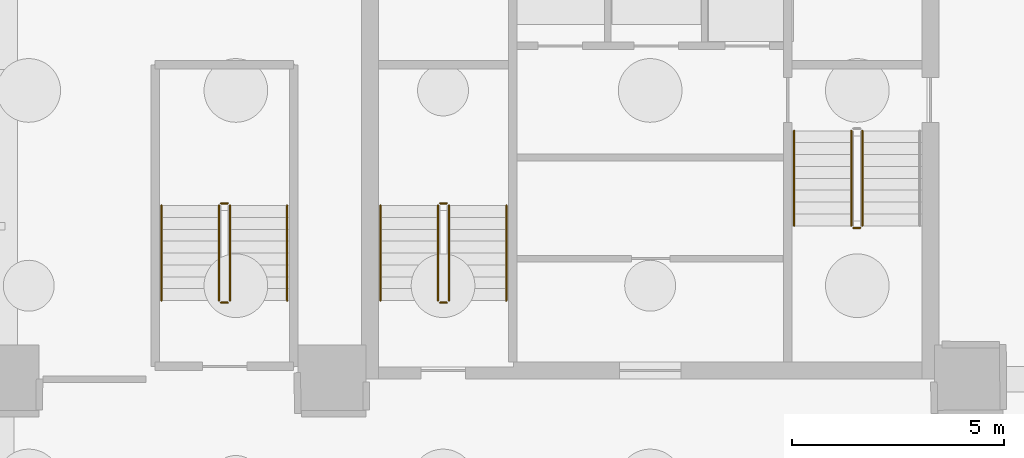
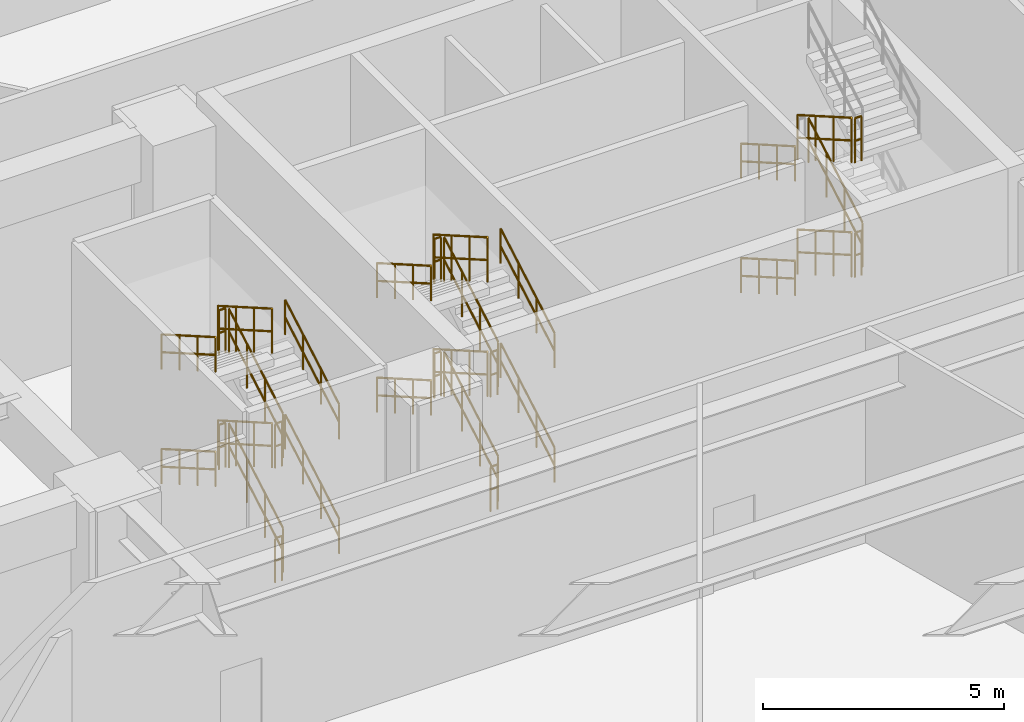
# One storey, part 11 of 15: 31 railings.
"""IFC4 building model written with IfcOpenShell, lengths in metres."""

from ifc_helpers import new_model, si_unit, direction, frame, origin, origin_2d, place, context, subcontext, project, spatial, circle, extrude, material, type_object, element, save


model = new_model("IFC4")

# Units and contexts
model_context = context("Model", 3, precision=1e-05, world=origin(), true_north=direction((0.0, 1.0)))
body_context = subcontext(model_context, "Body", "Model", "MODEL_VIEW")
ifc_project = project(units=[si_unit("LENGTHUNIT", "METRE"), si_unit("AREAUNIT", "SQUARE_METRE"), si_unit("VOLUMEUNIT", "CUBIC_METRE"), si_unit("PLANEANGLEUNIT", "RADIAN"), si_unit("MASSUNIT", "GRAM", prefix="KILO")], contexts=[model_context])

# Site, building, storey
site_placement = place(None, origin())
site = spatial("IfcSite", under=ifc_project, at=site_placement, CompositionType="ELEMENT")
building_placement = place(site_placement, origin())
building = spatial("IfcBuilding", under=site, at=building_placement, Name="Talar Marvaseh", CompositionType="ELEMENT")
storey_placement = place(building_placement, frame((0.0, 0.0, -11.60009765625)))
storey = spatial("IfcBuildingStorey", under=building, at=storey_placement, Name="B02", CompositionType="ELEMENT", Elevation=-11.60009765625)

# Railings
ifc_material = material(Name="Stainless Steel Grade 316", Category="steel")
railing_type_1 = type_object("IfcRailingType", Name="Brushed Stainless Wall Pitch Handrail 900", PredefinedType="HANDRAIL", material=ifc_material)
railing_1_placement = place(storey_placement, frame((22.610107421875, 27.64990234375, 0.1611328125)))
element("IfcRailing", 1, at=railing_1_placement, inside=storey, type_object=railing_type_1, Name="B02 ST-1 stair handrail 1", PredefinedType="HANDRAIL", context=body_context, shape_type="SweptSolid", body=[
    extrude(circle(Radius=0.02392578125, at=origin_2d()), frame((0.0, 0.0, 0.8759765625), z_axis=(0.0, 0.866727653441, 0.498781690482), x_axis=(-1.0, 0.0, 0.0)), (0.0, 0.0, 1.0), 2.58447265625),
    extrude(circle(Radius=0.02392578125, at=origin_2d()), frame((0.0, 0.0, 0.42578125), z_axis=(0.0, 0.866727653441, 0.498781690482), x_axis=(-1.0, 0.0, 0.0)), (0.0, 0.0, 1.0), 2.58447265625),
    extrude(circle(Radius=0.02099609375, at=origin_2d()), origin(), (0.0, 0.0, 1.0), 0.851806640625),
    extrude(circle(Radius=0.02099609375, at=origin_2d()), frame((0.0, 0.74658203125, 0.4296875)), (0.0, 0.0, 1.0), 0.851806640625),
    extrude(circle(Radius=0.02099609375, at=origin_2d()), frame((0.0, 1.493408203125, 0.859375)), (0.0, 0.0, 1.0), 0.851806640625),
    extrude(circle(Radius=0.02099609375, at=origin_2d()), frame((0.0, 2.239990234375, 1.2890625)), (0.0, 0.0, 1.0), 0.851806640625),
])
railing_2_placement = place(storey_placement, frame((19.64990234375, 29.889892578125, 1.611328125)))
element("IfcRailing", 2, at=railing_2_placement, inside=storey, type_object=railing_type_1, Name="B02 ST-1 stair handrail 2", PredefinedType="HANDRAIL", context=body_context, shape_type="SweptSolid", body=[
    extrude(circle(Radius=0.02392578125, at=origin_2d()), frame((0.0, 0.0, 0.8759765625), z_axis=(0.0, -0.866768490956, 0.498710720845), x_axis=(1.0, 0.0, 0.0)), (0.0, 0.0, 1.0), 2.584228515625),
    extrude(circle(Radius=0.02392578125, at=origin_2d()), frame((0.0, 0.0, 0.42578125), z_axis=(0.0, -0.866768490956, 0.498710720845), x_axis=(1.0, 0.0, 0.0)), (0.0, 0.0, 1.0), 2.584228515625),
    extrude(circle(Radius=0.02099609375, at=origin_2d()), origin(), (0.0, 0.0, 1.0), 0.851806640625),
    extrude(circle(Radius=0.02099609375, at=origin_2d()), frame((0.0, -0.74658203125, 0.4296875)), (0.0, 0.0, 1.0), 0.851806640625),
    extrude(circle(Radius=0.02099609375, at=origin_2d()), frame((0.0, -1.493408203125, 0.859130859375)), (0.0, 0.0, 1.0), 0.851806640625),
    extrude(circle(Radius=0.02099609375, at=origin_2d()), frame((0.0, -2.239990234375, 1.288818359375)), (0.0, 0.0, 1.0), 0.851806640625),
])
railing_3_placement = place(storey_placement, frame((22.610107421875, 27.64990234375, 3.061279296875)))
element("IfcRailing", 3, at=railing_3_placement, inside=storey, type_object=railing_type_1, Name="B02 ST-1 stair handrail 3", PredefinedType="HANDRAIL", context=body_context, shape_type="SweptSolid", body=[
    extrude(circle(Radius=0.02392578125, at=origin_2d()), frame((0.0, 0.0, 0.8759765625), z_axis=(0.0, 0.866768490956, 0.498710720845), x_axis=(-1.0, 0.0, 0.0)), (0.0, 0.0, 1.0), 2.584228515625),
    extrude(circle(Radius=0.02392578125, at=origin_2d()), frame((0.0, 0.0, 0.42578125), z_axis=(0.0, 0.866768490956, 0.498710720845), x_axis=(-1.0, 0.0, 0.0)), (0.0, 0.0, 1.0), 2.584228515625),
    extrude(circle(Radius=0.02099609375, at=origin_2d()), origin(), (0.0, 0.0, 1.0), 0.851806640625),
    extrude(circle(Radius=0.02099609375, at=origin_2d()), frame((0.0, 0.74658203125, 0.4296875)), (0.0, 0.0, 1.0), 0.851806640625),
    extrude(circle(Radius=0.02099609375, at=origin_2d()), frame((0.0, 1.493408203125, 0.859130859375)), (0.0, 0.0, 1.0), 0.851806640625),
    extrude(circle(Radius=0.02099609375, at=origin_2d()), frame((0.0, 2.239990234375, 1.288818359375)), (0.0, 0.0, 1.0), 0.851806640625),
])
railing_4_placement = place(storey_placement, frame((19.64990234375, 29.889892578125, 4.51123046875)))
element("IfcRailing", 4, at=railing_4_placement, inside=storey, type_object=railing_type_1, Name="B02 ST-1 stair handrail 4", PredefinedType="HANDRAIL", context=body_context, shape_type="SweptSolid", body=[
    extrude(circle(Radius=0.02392578125, at=origin_2d()), frame((0.0, 0.0, 0.8759765625), z_axis=(0.0, -0.866768490956, 0.498710720845), x_axis=(1.0, 0.0, 0.0)), (0.0, 0.0, 1.0), 2.584228515625),
    extrude(circle(Radius=0.02392578125, at=origin_2d()), frame((0.0, 0.0, 0.42578125), z_axis=(0.0, -0.866768490956, 0.498710720845), x_axis=(1.0, 0.0, 0.0)), (0.0, 0.0, 1.0), 2.584228515625),
    extrude(circle(Radius=0.02099609375, at=origin_2d()), origin(), (0.0, 0.0, 1.0), 0.851806640625),
    extrude(circle(Radius=0.02099609375, at=origin_2d()), frame((0.0, -0.74658203125, 0.4296875)), (0.0, 0.0, 1.0), 0.851806640625),
    extrude(circle(Radius=0.02099609375, at=origin_2d()), frame((0.0, -1.493408203125, 0.859130859375)), (0.0, 0.0, 1.0), 0.851806640625),
    extrude(circle(Radius=0.02099609375, at=origin_2d()), frame((0.0, -2.239990234375, 1.288818359375)), (0.0, 0.0, 1.0), 0.851806640625),
])
railing_5_placement = place(storey_placement, frame((29.389892578125, 31.64990234375, 0.1611328125)))
element("IfcRailing", 5, at=railing_5_placement, inside=storey, type_object=railing_type_1, Name="B02 ST-2 stair handrail 1", PredefinedType="HANDRAIL", context=body_context, shape_type="SweptSolid", body=[
    extrude(circle(Radius=0.02392578125, at=origin_2d()), frame((0.0, 0.0, 0.8759765625), z_axis=(0.0, -0.866727653441, 0.498781690482), x_axis=(1.0, 0.0, 0.0)), (0.0, 0.0, 1.0), 2.58447265625),
    extrude(circle(Radius=0.02392578125, at=origin_2d()), frame((0.0, 0.0, 0.42578125), z_axis=(0.0, -0.866727653441, 0.498781690482), x_axis=(1.0, 0.0, 0.0)), (0.0, 0.0, 1.0), 2.58447265625),
    extrude(circle(Radius=0.02099609375, at=origin_2d()), origin(), (0.0, 0.0, 1.0), 0.851806640625),
    extrude(circle(Radius=0.02099609375, at=origin_2d()), frame((0.0, -0.74658203125, 0.4296875)), (0.0, 0.0, 1.0), 0.851806640625),
    extrude(circle(Radius=0.02099609375, at=origin_2d()), frame((0.0, -1.493408203125, 0.859375)), (0.0, 0.0, 1.0), 0.851806640625),
    extrude(circle(Radius=0.02099609375, at=origin_2d()), frame((0.0, -2.239990234375, 1.2890625)), (0.0, 0.0, 1.0), 0.851806640625),
])
railing_6_placement = place(storey_placement, frame((29.389892578125, 31.64990234375, 3.061279296875)))
element("IfcRailing", 6, at=railing_6_placement, inside=storey, type_object=railing_type_1, Name="B02 ST-2 stair handrail 3", PredefinedType="HANDRAIL", context=body_context, shape_type="SweptSolid", body=[
    extrude(circle(Radius=0.02392578125, at=origin_2d()), frame((0.0, 0.0, 0.8759765625), z_axis=(0.0, -0.866768490956, 0.498710720845), x_axis=(1.0, 0.0, 0.0)), (0.0, 0.0, 1.0), 2.584228515625),
    extrude(circle(Radius=0.02392578125, at=origin_2d()), frame((0.0, 0.0, 0.42578125), z_axis=(0.0, -0.866768490956, 0.498710720845), x_axis=(1.0, 0.0, 0.0)), (0.0, 0.0, 1.0), 2.584228515625),
    extrude(circle(Radius=0.02099609375, at=origin_2d()), origin(), (0.0, 0.0, 1.0), 0.851806640625),
    extrude(circle(Radius=0.02099609375, at=origin_2d()), frame((0.0, -0.74658203125, 0.4296875)), (0.0, 0.0, 1.0), 0.851806640625),
    extrude(circle(Radius=0.02099609375, at=origin_2d()), frame((0.0, -1.493408203125, 0.859130859375)), (0.0, 0.0, 1.0), 0.851806640625),
    extrude(circle(Radius=0.02099609375, at=origin_2d()), frame((0.0, -2.239990234375, 1.288818359375)), (0.0, 0.0, 1.0), 0.851806640625),
])
railing_7_placement = place(storey_placement, frame((17.449951171875, 27.64990234375, 0.1611328125)))
element("IfcRailing", 7, at=railing_7_placement, inside=storey, type_object=railing_type_1, Name="B02 ST-3 stair handrail 1", PredefinedType="HANDRAIL", context=body_context, shape_type="SweptSolid", body=[
    extrude(circle(Radius=0.02392578125, at=origin_2d()), frame((0.0, 0.0, 0.8759765625), z_axis=(0.0, 0.866727653441, 0.498781690482), x_axis=(-1.0, 0.0, 0.0)), (0.0, 0.0, 1.0), 2.58447265625),
    extrude(circle(Radius=0.02392578125, at=origin_2d()), frame((0.0, 0.0, 0.42578125), z_axis=(0.0, 0.866727653441, 0.498781690482), x_axis=(-1.0, 0.0, 0.0)), (0.0, 0.0, 1.0), 2.58447265625),
    extrude(circle(Radius=0.02099609375, at=origin_2d()), origin(), (0.0, 0.0, 1.0), 0.851806640625),
    extrude(circle(Radius=0.02099609375, at=origin_2d()), frame((0.0, 0.74658203125, 0.4296875)), (0.0, 0.0, 1.0), 0.851806640625),
    extrude(circle(Radius=0.02099609375, at=origin_2d()), frame((0.0, 1.493408203125, 0.859375)), (0.0, 0.0, 1.0), 0.851806640625),
    extrude(circle(Radius=0.02099609375, at=origin_2d()), frame((0.0, 2.239990234375, 1.2890625)), (0.0, 0.0, 1.0), 0.851806640625),
])
railing_8_placement = place(storey_placement, frame((14.489990234375, 29.889892578125, 1.611328125)))
element("IfcRailing", 8, at=railing_8_placement, inside=storey, type_object=railing_type_1, Name="B02 ST-3 stair handrail 2", PredefinedType="HANDRAIL", context=body_context, shape_type="SweptSolid", body=[
    extrude(circle(Radius=0.02392578125, at=origin_2d()), frame((0.0, 0.0, 0.8759765625), z_axis=(0.0, -0.866768490956, 0.498710720845), x_axis=(1.0, 0.0, 0.0)), (0.0, 0.0, 1.0), 2.584228515625),
    extrude(circle(Radius=0.02392578125, at=origin_2d()), frame((0.0, 0.0, 0.42578125), z_axis=(0.0, -0.866768490956, 0.498710720845), x_axis=(1.0, 0.0, 0.0)), (0.0, 0.0, 1.0), 2.584228515625),
    extrude(circle(Radius=0.02099609375, at=origin_2d()), origin(), (0.0, 0.0, 1.0), 0.851806640625),
    extrude(circle(Radius=0.02099609375, at=origin_2d()), frame((0.0, -0.74658203125, 0.4296875)), (0.0, 0.0, 1.0), 0.851806640625),
    extrude(circle(Radius=0.02099609375, at=origin_2d()), frame((0.0, -1.493408203125, 0.859130859375)), (0.0, 0.0, 1.0), 0.851806640625),
    extrude(circle(Radius=0.02099609375, at=origin_2d()), frame((0.0, -2.239990234375, 1.288818359375)), (0.0, 0.0, 1.0), 0.851806640625),
])
railing_9_placement = place(storey_placement, frame((17.449951171875, 27.64990234375, 3.061279296875)))
element("IfcRailing", 9, at=railing_9_placement, inside=storey, type_object=railing_type_1, Name="B02 ST-3 stair handrail 3", PredefinedType="HANDRAIL", context=body_context, shape_type="SweptSolid", body=[
    extrude(circle(Radius=0.02392578125, at=origin_2d()), frame((0.0, 0.0, 0.8759765625), z_axis=(0.0, 0.866768490956, 0.498710720845), x_axis=(-1.0, 0.0, 0.0)), (0.0, 0.0, 1.0), 2.584228515625),
    extrude(circle(Radius=0.02392578125, at=origin_2d()), frame((0.0, 0.0, 0.42578125), z_axis=(0.0, 0.866768490956, 0.498710720845), x_axis=(-1.0, 0.0, 0.0)), (0.0, 0.0, 1.0), 2.584228515625),
    extrude(circle(Radius=0.02099609375, at=origin_2d()), origin(), (0.0, 0.0, 1.0), 0.851806640625),
    extrude(circle(Radius=0.02099609375, at=origin_2d()), frame((0.0, 0.74658203125, 0.4296875)), (0.0, 0.0, 1.0), 0.851806640625),
    extrude(circle(Radius=0.02099609375, at=origin_2d()), frame((0.0, 1.493408203125, 0.859130859375)), (0.0, 0.0, 1.0), 0.851806640625),
    extrude(circle(Radius=0.02099609375, at=origin_2d()), frame((0.0, 2.239990234375, 1.288818359375)), (0.0, 0.0, 1.0), 0.851806640625),
])
railing_10_placement = place(storey_placement, frame((14.489990234375, 29.889892578125, 4.51123046875)))
element("IfcRailing", 10, at=railing_10_placement, inside=storey, type_object=railing_type_1, Name="B02 ST-3 stair handrail 4", PredefinedType="HANDRAIL", context=body_context, shape_type="SweptSolid", body=[
    extrude(circle(Radius=0.02392578125, at=origin_2d()), frame((0.0, 0.0, 0.8759765625), z_axis=(0.0, -0.866768490956, 0.498710720845), x_axis=(1.0, 0.0, 0.0)), (0.0, 0.0, 1.0), 2.584228515625),
    extrude(circle(Radius=0.02392578125, at=origin_2d()), frame((0.0, 0.0, 0.42578125), z_axis=(0.0, -0.866768490956, 0.498710720845), x_axis=(1.0, 0.0, 0.0)), (0.0, 0.0, 1.0), 2.584228515625),
    extrude(circle(Radius=0.02099609375, at=origin_2d()), origin(), (0.0, 0.0, 1.0), 0.851806640625),
    extrude(circle(Radius=0.02099609375, at=origin_2d()), frame((0.0, -0.74658203125, 0.4296875)), (0.0, 0.0, 1.0), 0.851806640625),
    extrude(circle(Radius=0.02099609375, at=origin_2d()), frame((0.0, -1.493408203125, 0.859130859375)), (0.0, 0.0, 1.0), 0.851806640625),
    extrude(circle(Radius=0.02099609375, at=origin_2d()), frame((0.0, -2.239990234375, 1.288818359375)), (0.0, 0.0, 1.0), 0.851806640625),
])
railing_type_2 = type_object("IfcRailingType", Name="Painted Steel Core Stair Well Guardrail 1150", PredefinedType="GUARDRAIL", material=ifc_material)
railing_11_placement = place(storey_placement, frame((21.260009765625, 27.64990234375, 0.1611328125)))
element("IfcRailing", 11, at=railing_11_placement, inside=storey, type_object=railing_type_2, Name="B02 ST-1 stair guard 1", PredefinedType="GUARDRAIL", context=body_context, shape_type="SweptSolid", body=[
    extrude(circle(Radius=0.02392578125, at=origin_2d()), frame((0.0, 0.0, 1.1259765625), z_axis=(0.0, 0.866727653441, 0.498781690482), x_axis=(-1.0, 0.0, 0.0)), (0.0, 0.0, 1.0), 2.58447265625),
    extrude(circle(Radius=0.02392578125, at=origin_2d()), frame((0.0, 0.0, 0.55078125), z_axis=(0.0, 0.866727653441, 0.498781690482), x_axis=(-1.0, 0.0, 0.0)), (0.0, 0.0, 1.0), 2.58447265625),
    extrude(circle(Radius=0.02099609375, at=origin_2d()), origin(), (0.0, 0.0, 1.0), 1.101806640625),
    extrude(circle(Radius=0.02099609375, at=origin_2d()), frame((0.0, 0.74658203125, 0.4296875)), (0.0, 0.0, 1.0), 1.101806640625),
    extrude(circle(Radius=0.02099609375, at=origin_2d()), frame((0.0, 1.493408203125, 0.859375)), (0.0, 0.0, 1.0), 1.101806640625),
    extrude(circle(Radius=0.02099609375, at=origin_2d()), frame((0.0, 2.239990234375, 1.2890625)), (0.0, 0.0, 1.0), 1.101806640625),
])
railing_12_placement = place(storey_placement, frame((21.2099609375, 29.93994140625, 1.4501953125)))
element("IfcRailing", 12, at=railing_12_placement, inside=storey, type_object=railing_type_2, Name="B02 ST-1 stair guard 2", PredefinedType="GUARDRAIL", context=body_context, shape_type="SweptSolid", body=[
    extrude(circle(Radius=0.02392578125, at=origin_2d()), frame((0.0, 0.0, 1.1259765625), z_axis=(-1.0, 0.0, 0.0), x_axis=(0.0, -1.0, 0.0)), (0.0, 0.0, 1.0), 0.159912109375),
    extrude(circle(Radius=0.02392578125, at=origin_2d()), frame((0.0, 0.0, 0.55078125), z_axis=(-1.0, 0.0, 0.0), x_axis=(0.0, -1.0, 0.0)), (0.0, 0.0, 1.0), 0.159912109375),
    extrude(circle(Radius=0.02099609375, at=origin_2d()), origin(), (0.0, 0.0, 1.0), 1.101806640625),
    extrude(circle(Radius=0.02099609375, at=origin_2d()), frame((-0.159912109375, 0.0, 0.0)), (0.0, 0.0, 1.0), 1.101806640625),
])
railing_13_placement = place(storey_placement, frame((21.0, 29.889892578125, 1.611328125)))
element("IfcRailing", 13, at=railing_13_placement, inside=storey, type_object=railing_type_2, Name="B02 ST-1 stair guard 3", PredefinedType="GUARDRAIL", context=body_context, shape_type="SweptSolid", body=[
    extrude(circle(Radius=0.02392578125, at=origin_2d()), frame((0.0, 0.0, 1.1259765625), z_axis=(0.0, -0.866768490956, 0.498710720845), x_axis=(1.0, 0.0, 0.0)), (0.0, 0.0, 1.0), 2.584228515625),
    extrude(circle(Radius=0.02392578125, at=origin_2d()), frame((0.0, 0.0, 0.55078125), z_axis=(0.0, -0.866768490956, 0.498710720845), x_axis=(1.0, 0.0, 0.0)), (0.0, 0.0, 1.0), 2.584228515625),
    extrude(circle(Radius=0.02099609375, at=origin_2d()), origin(), (0.0, 0.0, 1.0), 1.101806640625),
    extrude(circle(Radius=0.02099609375, at=origin_2d()), frame((0.0, -0.74658203125, 0.4296875)), (0.0, 0.0, 1.0), 1.101806640625),
    extrude(circle(Radius=0.02099609375, at=origin_2d()), frame((0.0, -1.493408203125, 0.859130859375)), (0.0, 0.0, 1.0), 1.101806640625),
    extrude(circle(Radius=0.02099609375, at=origin_2d()), frame((0.0, -2.239990234375, 1.288818359375)), (0.0, 0.0, 1.0), 1.101806640625),
])
railing_14_placement = place(storey_placement, frame((21.2099609375, 27.60009765625, 2.900146484375)))
element("IfcRailing", 14, at=railing_14_placement, inside=storey, type_object=railing_type_2, Name="B02 ST-1 stair guard 4", PredefinedType="GUARDRAIL", context=body_context, shape_type="SweptSolid", body=[
    extrude(circle(Radius=0.02392578125, at=origin_2d()), frame((0.0, 0.0, 1.1259765625), z_axis=(-1.0, 0.0, 0.0), x_axis=(0.0, -1.0, 0.0)), (0.0, 0.0, 1.0), 0.159912109375),
    extrude(circle(Radius=0.02392578125, at=origin_2d()), frame((0.0, 0.0, 0.55078125), z_axis=(-1.0, 0.0, 0.0), x_axis=(0.0, -1.0, 0.0)), (0.0, 0.0, 1.0), 0.159912109375),
    extrude(circle(Radius=0.02099609375, at=origin_2d()), origin(), (0.0, 0.0, 1.0), 1.101806640625),
    extrude(circle(Radius=0.02099609375, at=origin_2d()), frame((-0.159912109375, 0.0, 0.0)), (0.0, 0.0, 1.0), 1.101806640625),
])
railing_15_placement = place(storey_placement, frame((21.260009765625, 27.64990234375, 3.061279296875)))
element("IfcRailing", 15, at=railing_15_placement, inside=storey, type_object=railing_type_2, Name="B02 ST-1 stair guard 5", PredefinedType="GUARDRAIL", context=body_context, shape_type="SweptSolid", body=[
    extrude(circle(Radius=0.02392578125, at=origin_2d()), frame((0.0, 0.0, 1.1259765625), z_axis=(0.0, 0.866768490956, 0.498710720845), x_axis=(-1.0, 0.0, 0.0)), (0.0, 0.0, 1.0), 2.584228515625),
    extrude(circle(Radius=0.02392578125, at=origin_2d()), frame((0.0, 0.0, 0.55078125), z_axis=(0.0, 0.866768490956, 0.498710720845), x_axis=(-1.0, 0.0, 0.0)), (0.0, 0.0, 1.0), 2.584228515625),
    extrude(circle(Radius=0.02099609375, at=origin_2d()), origin(), (0.0, 0.0, 1.0), 1.101806640625),
    extrude(circle(Radius=0.02099609375, at=origin_2d()), frame((0.0, 0.74658203125, 0.4296875)), (0.0, 0.0, 1.0), 1.101806640625),
    extrude(circle(Radius=0.02099609375, at=origin_2d()), frame((0.0, 1.493408203125, 0.859130859375)), (0.0, 0.0, 1.0), 1.101806640625),
    extrude(circle(Radius=0.02099609375, at=origin_2d()), frame((0.0, 2.239990234375, 1.288818359375)), (0.0, 0.0, 1.0), 1.101806640625),
])
railing_16_placement = place(storey_placement, frame((21.2099609375, 29.93994140625, 4.35009765625)))
element("IfcRailing", 16, at=railing_16_placement, inside=storey, type_object=railing_type_2, Name="B02 ST-1 stair guard 6", PredefinedType="GUARDRAIL", context=body_context, shape_type="SweptSolid", body=[
    extrude(circle(Radius=0.02392578125, at=origin_2d()), frame((0.0, 0.0, 1.1259765625), z_axis=(-1.0, 0.0, 0.0), x_axis=(0.0, -1.0, 0.0)), (0.0, 0.0, 1.0), 0.159912109375),
    extrude(circle(Radius=0.02392578125, at=origin_2d()), frame((0.0, 0.0, 0.55078125), z_axis=(-1.0, 0.0, 0.0), x_axis=(0.0, -1.0, 0.0)), (0.0, 0.0, 1.0), 0.159912109375),
    extrude(circle(Radius=0.02099609375, at=origin_2d()), origin(), (0.0, 0.0, 1.0), 1.101806640625),
    extrude(circle(Radius=0.02099609375, at=origin_2d()), frame((-0.159912109375, 0.0, 0.0)), (0.0, 0.0, 1.0), 1.101806640625),
])
railing_17_placement = place(storey_placement, frame((21.0, 29.889892578125, 4.51123046875)))
element("IfcRailing", 17, at=railing_17_placement, inside=storey, type_object=railing_type_2, Name="B02 ST-1 stair guard 7", PredefinedType="GUARDRAIL", context=body_context, shape_type="SweptSolid", body=[
    extrude(circle(Radius=0.02392578125, at=origin_2d()), frame((0.0, 0.0, 1.1259765625), z_axis=(0.0, -0.866768490956, 0.498710720845), x_axis=(1.0, 0.0, 0.0)), (0.0, 0.0, 1.0), 2.584228515625),
    extrude(circle(Radius=0.02392578125, at=origin_2d()), frame((0.0, 0.0, 0.55078125), z_axis=(0.0, -0.866768490956, 0.498710720845), x_axis=(1.0, 0.0, 0.0)), (0.0, 0.0, 1.0), 2.584228515625),
    extrude(circle(Radius=0.02099609375, at=origin_2d()), origin(), (0.0, 0.0, 1.0), 1.101806640625),
    extrude(circle(Radius=0.02099609375, at=origin_2d()), frame((0.0, -0.74658203125, 0.4296875)), (0.0, 0.0, 1.0), 1.101806640625),
    extrude(circle(Radius=0.02099609375, at=origin_2d()), frame((0.0, -1.493408203125, 0.859130859375)), (0.0, 0.0, 1.0), 1.101806640625),
    extrude(circle(Radius=0.02099609375, at=origin_2d()), frame((0.0, -2.239990234375, 1.288818359375)), (0.0, 0.0, 1.0), 1.101806640625),
])
railing_18_placement = place(storey_placement, frame((21.2099609375, 27.60009765625, 0.0)))
element("IfcRailing", 18, at=railing_18_placement, inside=storey, type_object=railing_type_2, Name="B02 ST-1 stair guard 8", PredefinedType="GUARDRAIL", context=body_context, shape_type="SweptSolid", body=[
    extrude(circle(Radius=0.02392578125, at=origin_2d()), frame((0.0, 0.0, 1.1259765625), z_axis=(-1.0, 0.0, 0.0), x_axis=(0.0, -1.0, 0.0)), (0.0, 0.0, 1.0), 0.159912109375),
    extrude(circle(Radius=0.02392578125, at=origin_2d()), frame((0.0, 0.0, 0.55078125), z_axis=(-1.0, 0.0, 0.0), x_axis=(0.0, -1.0, 0.0)), (0.0, 0.0, 1.0), 0.159912109375),
    extrude(circle(Radius=0.02099609375, at=origin_2d()), origin(), (0.0, 0.0, 1.0), 1.101806640625),
    extrude(circle(Radius=0.02099609375, at=origin_2d()), frame((-0.159912109375, 0.0, 0.0)), (0.0, 0.0, 1.0), 1.101806640625),
])
railing_19_placement = place(storey_placement, frame((30.739990234375, 31.64990234375, 0.1611328125)))
element("IfcRailing", 19, at=railing_19_placement, inside=storey, type_object=railing_type_2, Name="B02 ST-2 stair guard 1", PredefinedType="GUARDRAIL", context=body_context, shape_type="SweptSolid", body=[
    extrude(circle(Radius=0.02392578125, at=origin_2d()), frame((0.0, 0.0, 1.1259765625), z_axis=(0.0, -0.866727653441, 0.498781690482), x_axis=(1.0, 0.0, 0.0)), (0.0, 0.0, 1.0), 2.58447265625),
    extrude(circle(Radius=0.02392578125, at=origin_2d()), frame((0.0, 0.0, 0.55078125), z_axis=(0.0, -0.866727653441, 0.498781690482), x_axis=(1.0, 0.0, 0.0)), (0.0, 0.0, 1.0), 2.58447265625),
    extrude(circle(Radius=0.02099609375, at=origin_2d()), origin(), (0.0, 0.0, 1.0), 1.101806640625),
    extrude(circle(Radius=0.02099609375, at=origin_2d()), frame((0.0, -0.74658203125, 0.4296875)), (0.0, 0.0, 1.0), 1.101806640625),
    extrude(circle(Radius=0.02099609375, at=origin_2d()), frame((0.0, -1.493408203125, 0.859375)), (0.0, 0.0, 1.0), 1.101806640625),
    extrude(circle(Radius=0.02099609375, at=origin_2d()), frame((0.0, -2.239990234375, 1.2890625)), (0.0, 0.0, 1.0), 1.101806640625),
])
railing_20_placement = place(storey_placement, frame((30.7900390625, 29.360107421875, 1.4501953125)))
element("IfcRailing", 20, at=railing_20_placement, inside=storey, type_object=railing_type_2, Name="B02 ST-2 stair guard 2", PredefinedType="GUARDRAIL", context=body_context, shape_type="SweptSolid", body=[
    extrude(circle(Radius=0.02392578125, at=origin_2d()), frame((0.0, 0.0, 1.1259765625), z_axis=(1.0, 0.0, 0.0), x_axis=(0.0, 1.0, 0.0)), (0.0, 0.0, 1.0), 0.159912109375),
    extrude(circle(Radius=0.02392578125, at=origin_2d()), frame((0.0, 0.0, 0.55078125), z_axis=(1.0, 0.0, 0.0), x_axis=(0.0, 1.0, 0.0)), (0.0, 0.0, 1.0), 0.159912109375),
    extrude(circle(Radius=0.02099609375, at=origin_2d()), origin(), (0.0, 0.0, 1.0), 1.101806640625),
    extrude(circle(Radius=0.02099609375, at=origin_2d()), frame((0.159912109375, 0.0, 0.0)), (0.0, 0.0, 1.0), 1.101806640625),
])
railing_21_placement = place(storey_placement, frame((31.0, 29.409912109375, 1.611328125)))
element("IfcRailing", 21, at=railing_21_placement, inside=storey, type_object=railing_type_2, Name="B02 ST-2 stair guard 3", PredefinedType="GUARDRAIL", context=body_context, shape_type="SweptSolid", body=[
    extrude(circle(Radius=0.02392578125, at=origin_2d()), frame((0.0, 0.0, 1.1259765625), z_axis=(0.0, 0.866768490956, 0.498710720845), x_axis=(-1.0, 0.0, 0.0)), (0.0, 0.0, 1.0), 2.584228515625),
    extrude(circle(Radius=0.02392578125, at=origin_2d()), frame((0.0, 0.0, 0.55078125), z_axis=(0.0, 0.866768490956, 0.498710720845), x_axis=(-1.0, 0.0, 0.0)), (0.0, 0.0, 1.0), 2.584228515625),
    extrude(circle(Radius=0.02099609375, at=origin_2d()), origin(), (0.0, 0.0, 1.0), 1.101806640625),
    extrude(circle(Radius=0.02099609375, at=origin_2d()), frame((0.0, 0.74658203125, 0.4296875)), (0.0, 0.0, 1.0), 1.101806640625),
    extrude(circle(Radius=0.02099609375, at=origin_2d()), frame((0.0, 1.493408203125, 0.859130859375)), (0.0, 0.0, 1.0), 1.101806640625),
    extrude(circle(Radius=0.02099609375, at=origin_2d()), frame((0.0, 2.239990234375, 1.288818359375)), (0.0, 0.0, 1.0), 1.101806640625),
])
railing_22_placement = place(storey_placement, frame((30.739990234375, 31.64990234375, 3.061279296875)))
element("IfcRailing", 22, at=railing_22_placement, inside=storey, type_object=railing_type_2, Name="B02 ST-2 stair guard 5", PredefinedType="GUARDRAIL", context=body_context, shape_type="SweptSolid", body=[
    extrude(circle(Radius=0.02392578125, at=origin_2d()), frame((0.0, 0.0, 1.1259765625), z_axis=(0.0, -0.866768490956, 0.498710720845), x_axis=(1.0, 0.0, 0.0)), (0.0, 0.0, 1.0), 2.584228515625),
    extrude(circle(Radius=0.02392578125, at=origin_2d()), frame((0.0, 0.0, 0.55078125), z_axis=(0.0, -0.866768490956, 0.498710720845), x_axis=(1.0, 0.0, 0.0)), (0.0, 0.0, 1.0), 2.584228515625),
    extrude(circle(Radius=0.02099609375, at=origin_2d()), origin(), (0.0, 0.0, 1.0), 1.101806640625),
    extrude(circle(Radius=0.02099609375, at=origin_2d()), frame((0.0, -0.74658203125, 0.4296875)), (0.0, 0.0, 1.0), 1.101806640625),
    extrude(circle(Radius=0.02099609375, at=origin_2d()), frame((0.0, -1.493408203125, 0.859130859375)), (0.0, 0.0, 1.0), 1.101806640625),
    extrude(circle(Radius=0.02099609375, at=origin_2d()), frame((0.0, -2.239990234375, 1.288818359375)), (0.0, 0.0, 1.0), 1.101806640625),
])
railing_23_placement = place(storey_placement, frame((30.7900390625, 29.360107421875, 4.35009765625)))
element("IfcRailing", 23, at=railing_23_placement, inside=storey, type_object=railing_type_2, Name="B02 ST-2 stair guard 6", PredefinedType="GUARDRAIL", context=body_context, shape_type="SweptSolid", body=[
    extrude(circle(Radius=0.02392578125, at=origin_2d()), frame((0.0, 0.0, 1.1259765625), z_axis=(1.0, 0.0, 0.0), x_axis=(0.0, 1.0, 0.0)), (0.0, 0.0, 1.0), 0.159912109375),
    extrude(circle(Radius=0.02392578125, at=origin_2d()), frame((0.0, 0.0, 0.55078125), z_axis=(1.0, 0.0, 0.0), x_axis=(0.0, 1.0, 0.0)), (0.0, 0.0, 1.0), 0.159912109375),
    extrude(circle(Radius=0.02099609375, at=origin_2d()), origin(), (0.0, 0.0, 1.0), 1.101806640625),
    extrude(circle(Radius=0.02099609375, at=origin_2d()), frame((0.159912109375, 0.0, 0.0)), (0.0, 0.0, 1.0), 1.101806640625),
])
railing_24_placement = place(storey_placement, frame((16.10009765625, 27.64990234375, 0.1611328125)))
element("IfcRailing", 24, at=railing_24_placement, inside=storey, type_object=railing_type_2, Name="B02 ST-3 stair guard 1", PredefinedType="GUARDRAIL", context=body_context, shape_type="SweptSolid", body=[
    extrude(circle(Radius=0.02392578125, at=origin_2d()), frame((0.0, 0.0, 1.1259765625), z_axis=(0.0, 0.866727653441, 0.498781690482), x_axis=(-1.0, 0.0, 0.0)), (0.0, 0.0, 1.0), 2.58447265625),
    extrude(circle(Radius=0.02392578125, at=origin_2d()), frame((0.0, 0.0, 0.55078125), z_axis=(0.0, 0.866727653441, 0.498781690482), x_axis=(-1.0, 0.0, 0.0)), (0.0, 0.0, 1.0), 2.58447265625),
    extrude(circle(Radius=0.02099609375, at=origin_2d()), origin(), (0.0, 0.0, 1.0), 1.101806640625),
    extrude(circle(Radius=0.02099609375, at=origin_2d()), frame((0.0, 0.74658203125, 0.4296875)), (0.0, 0.0, 1.0), 1.101806640625),
    extrude(circle(Radius=0.02099609375, at=origin_2d()), frame((0.0, 1.493408203125, 0.859375)), (0.0, 0.0, 1.0), 1.101806640625),
    extrude(circle(Radius=0.02099609375, at=origin_2d()), frame((0.0, 2.239990234375, 1.2890625)), (0.0, 0.0, 1.0), 1.101806640625),
])
railing_25_placement = place(storey_placement, frame((16.050048828125, 29.93994140625, 1.4501953125)))
element("IfcRailing", 25, at=railing_25_placement, inside=storey, type_object=railing_type_2, Name="B02 ST-3 stair guard 2", PredefinedType="GUARDRAIL", context=body_context, shape_type="SweptSolid", body=[
    extrude(circle(Radius=0.02392578125, at=origin_2d()), frame((0.0, 0.0, 1.1259765625), z_axis=(-1.0, 0.0, 0.0), x_axis=(0.0, -1.0, 0.0)), (0.0, 0.0, 1.0), 0.16015625),
    extrude(circle(Radius=0.02392578125, at=origin_2d()), frame((0.0, 0.0, 0.55078125), z_axis=(-1.0, 0.0, 0.0), x_axis=(0.0, -1.0, 0.0)), (0.0, 0.0, 1.0), 0.16015625),
    extrude(circle(Radius=0.02099609375, at=origin_2d()), origin(), (0.0, 0.0, 1.0), 1.101806640625),
    extrude(circle(Radius=0.02099609375, at=origin_2d()), frame((-0.16015625, 0.0, 0.0)), (0.0, 0.0, 1.0), 1.101806640625),
])
railing_26_placement = place(storey_placement, frame((15.840087890625, 29.889892578125, 1.611328125)))
element("IfcRailing", 26, at=railing_26_placement, inside=storey, type_object=railing_type_2, Name="B02 ST-3 stair guard 3", PredefinedType="GUARDRAIL", context=body_context, shape_type="SweptSolid", body=[
    extrude(circle(Radius=0.02392578125, at=origin_2d()), frame((0.0, 0.0, 1.1259765625), z_axis=(0.0, -0.866768490956, 0.498710720845), x_axis=(1.0, 0.0, 0.0)), (0.0, 0.0, 1.0), 2.584228515625),
    extrude(circle(Radius=0.02392578125, at=origin_2d()), frame((0.0, 0.0, 0.55078125), z_axis=(0.0, -0.866768490956, 0.498710720845), x_axis=(1.0, 0.0, 0.0)), (0.0, 0.0, 1.0), 2.584228515625),
    extrude(circle(Radius=0.02099609375, at=origin_2d()), origin(), (0.0, 0.0, 1.0), 1.101806640625),
    extrude(circle(Radius=0.02099609375, at=origin_2d()), frame((0.0, -0.74658203125, 0.4296875)), (0.0, 0.0, 1.0), 1.101806640625),
    extrude(circle(Radius=0.02099609375, at=origin_2d()), frame((0.0, -1.493408203125, 0.859130859375)), (0.0, 0.0, 1.0), 1.101806640625),
    extrude(circle(Radius=0.02099609375, at=origin_2d()), frame((0.0, -2.239990234375, 1.288818359375)), (0.0, 0.0, 1.0), 1.101806640625),
])
railing_27_placement = place(storey_placement, frame((16.050048828125, 27.60009765625, 2.900146484375)))
element("IfcRailing", 27, at=railing_27_placement, inside=storey, type_object=railing_type_2, Name="B02 ST-3 stair guard 4", PredefinedType="GUARDRAIL", context=body_context, shape_type="SweptSolid", body=[
    extrude(circle(Radius=0.02392578125, at=origin_2d()), frame((0.0, 0.0, 1.1259765625), z_axis=(-1.0, 0.0, 0.0), x_axis=(0.0, -1.0, 0.0)), (0.0, 0.0, 1.0), 0.16015625),
    extrude(circle(Radius=0.02392578125, at=origin_2d()), frame((0.0, 0.0, 0.55078125), z_axis=(-1.0, 0.0, 0.0), x_axis=(0.0, -1.0, 0.0)), (0.0, 0.0, 1.0), 0.16015625),
    extrude(circle(Radius=0.02099609375, at=origin_2d()), origin(), (0.0, 0.0, 1.0), 1.101806640625),
    extrude(circle(Radius=0.02099609375, at=origin_2d()), frame((-0.16015625, 0.0, 0.0)), (0.0, 0.0, 1.0), 1.101806640625),
])
railing_28_placement = place(storey_placement, frame((16.10009765625, 27.64990234375, 3.061279296875)))
element("IfcRailing", 28, at=railing_28_placement, inside=storey, type_object=railing_type_2, Name="B02 ST-3 stair guard 5", PredefinedType="GUARDRAIL", context=body_context, shape_type="SweptSolid", body=[
    extrude(circle(Radius=0.02392578125, at=origin_2d()), frame((0.0, 0.0, 1.1259765625), z_axis=(0.0, 0.866768490956, 0.498710720845), x_axis=(-1.0, 0.0, 0.0)), (0.0, 0.0, 1.0), 2.584228515625),
    extrude(circle(Radius=0.02392578125, at=origin_2d()), frame((0.0, 0.0, 0.55078125), z_axis=(0.0, 0.866768490956, 0.498710720845), x_axis=(-1.0, 0.0, 0.0)), (0.0, 0.0, 1.0), 2.584228515625),
    extrude(circle(Radius=0.02099609375, at=origin_2d()), origin(), (0.0, 0.0, 1.0), 1.101806640625),
    extrude(circle(Radius=0.02099609375, at=origin_2d()), frame((0.0, 0.74658203125, 0.4296875)), (0.0, 0.0, 1.0), 1.101806640625),
    extrude(circle(Radius=0.02099609375, at=origin_2d()), frame((0.0, 1.493408203125, 0.859130859375)), (0.0, 0.0, 1.0), 1.101806640625),
    extrude(circle(Radius=0.02099609375, at=origin_2d()), frame((0.0, 2.239990234375, 1.288818359375)), (0.0, 0.0, 1.0), 1.101806640625),
])
railing_29_placement = place(storey_placement, frame((16.050048828125, 29.93994140625, 4.35009765625)))
element("IfcRailing", 29, at=railing_29_placement, inside=storey, type_object=railing_type_2, Name="B02 ST-3 stair guard 6", PredefinedType="GUARDRAIL", context=body_context, shape_type="SweptSolid", body=[
    extrude(circle(Radius=0.02392578125, at=origin_2d()), frame((0.0, 0.0, 1.1259765625), z_axis=(-1.0, 0.0, 0.0), x_axis=(0.0, -1.0, 0.0)), (0.0, 0.0, 1.0), 0.16015625),
    extrude(circle(Radius=0.02392578125, at=origin_2d()), frame((0.0, 0.0, 0.55078125), z_axis=(-1.0, 0.0, 0.0), x_axis=(0.0, -1.0, 0.0)), (0.0, 0.0, 1.0), 0.16015625),
    extrude(circle(Radius=0.02099609375, at=origin_2d()), origin(), (0.0, 0.0, 1.0), 1.101806640625),
    extrude(circle(Radius=0.02099609375, at=origin_2d()), frame((-0.16015625, 0.0, 0.0)), (0.0, 0.0, 1.0), 1.101806640625),
])
railing_30_placement = place(storey_placement, frame((15.840087890625, 29.889892578125, 4.51123046875)))
element("IfcRailing", 30, at=railing_30_placement, inside=storey, type_object=railing_type_2, Name="B02 ST-3 stair guard 7", PredefinedType="GUARDRAIL", context=body_context, shape_type="SweptSolid", body=[
    extrude(circle(Radius=0.02392578125, at=origin_2d()), frame((0.0, 0.0, 1.1259765625), z_axis=(0.0, -0.866768490956, 0.498710720845), x_axis=(1.0, 0.0, 0.0)), (0.0, 0.0, 1.0), 2.584228515625),
    extrude(circle(Radius=0.02392578125, at=origin_2d()), frame((0.0, 0.0, 0.55078125), z_axis=(0.0, -0.866768490956, 0.498710720845), x_axis=(1.0, 0.0, 0.0)), (0.0, 0.0, 1.0), 2.584228515625),
    extrude(circle(Radius=0.02099609375, at=origin_2d()), origin(), (0.0, 0.0, 1.0), 1.101806640625),
    extrude(circle(Radius=0.02099609375, at=origin_2d()), frame((0.0, -0.74658203125, 0.4296875)), (0.0, 0.0, 1.0), 1.101806640625),
    extrude(circle(Radius=0.02099609375, at=origin_2d()), frame((0.0, -1.493408203125, 0.859130859375)), (0.0, 0.0, 1.0), 1.101806640625),
    extrude(circle(Radius=0.02099609375, at=origin_2d()), frame((0.0, -2.239990234375, 1.288818359375)), (0.0, 0.0, 1.0), 1.101806640625),
])
railing_31_placement = place(storey_placement, frame((16.050048828125, 27.60009765625, 0.0)))
element("IfcRailing", 31, at=railing_31_placement, inside=storey, type_object=railing_type_2, Name="B02 ST-3 stair guard 8", PredefinedType="GUARDRAIL", context=body_context, shape_type="SweptSolid", body=[
    extrude(circle(Radius=0.02392578125, at=origin_2d()), frame((0.0, 0.0, 1.1259765625), z_axis=(-1.0, 0.0, 0.0), x_axis=(0.0, -1.0, 0.0)), (0.0, 0.0, 1.0), 0.16015625),
    extrude(circle(Radius=0.02392578125, at=origin_2d()), frame((0.0, 0.0, 0.55078125), z_axis=(-1.0, 0.0, 0.0), x_axis=(0.0, -1.0, 0.0)), (0.0, 0.0, 1.0), 0.16015625),
    extrude(circle(Radius=0.02099609375, at=origin_2d()), origin(), (0.0, 0.0, 1.0), 1.101806640625),
    extrude(circle(Radius=0.02099609375, at=origin_2d()), frame((-0.16015625, 0.0, 0.0)), (0.0, 0.0, 1.0), 1.101806640625),
])

save(model, "model.ifc")
